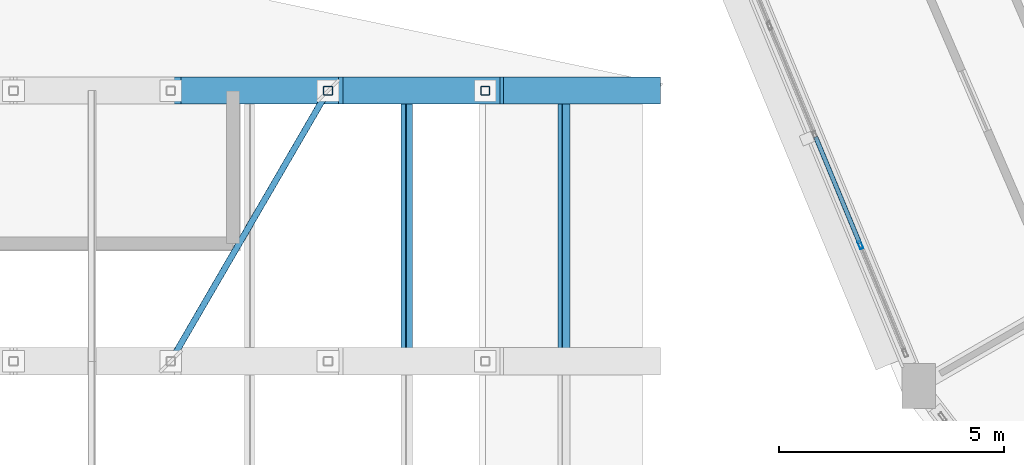
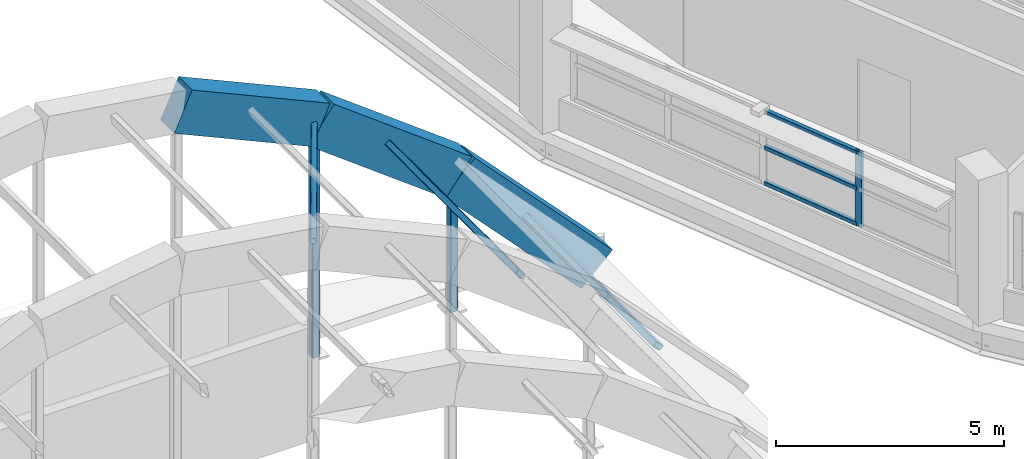
# One storey, part 14 of 88: 9 members, 3 beams, 1 element without a shape of its own.
"""IFC4 building model written with IfcOpenShell, lengths in metres."""

from ifc_helpers import new_model, si_unit, direction, frame, origin, origin_2d, place, context, subcontext, project, spatial, rectangle, hollow_rectangle, hollow_circle, extrude, material, layer, layer_set, material_profile, profile_set, type_object, element, aggregate, save


model = new_model("IFC4")

# Units and contexts
model_context = context("Model", 3, precision=1e-05, world=origin(), true_north=direction((0.0, 1.0)))
body_context = subcontext(model_context, "Body", "Model", "MODEL_VIEW")
ifc_project = project(units=[si_unit("LENGTHUNIT", "METRE"), si_unit("AREAUNIT", "SQUARE_METRE"), si_unit("VOLUMEUNIT", "CUBIC_METRE"), si_unit("PLANEANGLEUNIT", "RADIAN"), si_unit("MASSUNIT", "GRAM", prefix="KILO")], contexts=[model_context])

# Site, building, storey
site_placement = place(None, origin())
site = spatial("IfcSite", under=ifc_project, at=site_placement, CompositionType="ELEMENT")
building_placement = place(site_placement, origin())
building = spatial("IfcBuilding", under=site, at=building_placement, Name="Vespera Passage Community Centre", CompositionType="ELEMENT")
storey_placement = place(building_placement, frame((0.0, 0.0, 16.5)))
storey = spatial("IfcBuildingStorey", under=building, at=storey_placement, Name="L04", CompositionType="ELEMENT", Elevation=16.5)

# Beams
ifc_material_1 = material(Name="Concrete f'c 45 MPa", Category="concrete")
ifc_material_profile_1 = material_profile(ifc_material_1, rectangle(XDim=0.60009765625, YDim=1.10009765625, at=origin_2d()), Name="RC600X1100")
ifc_profile_set_1 = profile_set([ifc_material_profile_1], Name="Concrete f'c 45 MPa")
beam_type = type_object("IfcBeamType", Name="BM-AR-600X1100", PredefinedType="USERDEFINED", material=ifc_profile_set_1)
beam_1_placement = place(storey_placement, frame((21.487548828125, 49.0, 7.324951171875), z_axis=(0.911377547456, 0.0, -0.411571337672), x_axis=(0.0, 1.0, 0.0)))
element("IfcBeam", 1, at=beam_1_placement, inside=storey, type_object=beam_type, Name="Main Hall Barrel Vault Arch Rib AR8 Seg 6", ObjectType="ARCH RIB", PredefinedType="USERDEFINED", context=body_context, shape_type="SweptSolid", body=[
    extrude(rectangle(XDim=0.60009765625, YDim=1.10009765625, at=origin_2d()), origin(), (0.0, 0.0, 1.0), 3.82666015625),
])
beam_2_placement = place(storey_placement, frame((24.97509765625, 49.0, 5.75), z_axis=(0.798951709852, 0.0, -0.601395182325), x_axis=(0.0, 1.0, 0.0)))
element("IfcBeam", 2, at=beam_2_placement, inside=storey, type_object=beam_type, Name="Main Hall Barrel Vault Arch Rib AR8 Seg 7", ObjectType="ARCH RIB", PredefinedType="USERDEFINED", context=body_context, shape_type="SweptSolid", body=[
    extrude(rectangle(XDim=0.60009765625, YDim=1.10009765625, at=origin_2d()), origin(), (0.0, 0.0, 1.0), 4.36474609375),
])
beam_3_placement = place(storey_placement, frame((28.46240234375, 49.0, 3.125), z_axis=(0.688360568967, 0.0, -0.725368683561), x_axis=(0.0, 1.0, 0.0)))
element("IfcBeam", 3, at=beam_3_placement, inside=storey, type_object=beam_type, Name="Main Hall Barrel Vault Arch Rib AR8 Seg 8", ObjectType="ARCH RIB", PredefinedType="USERDEFINED", context=body_context, shape_type="SweptSolid", body=[
    extrude(rectangle(XDim=0.60009765625, YDim=1.10009765625, at=origin_2d()), origin(), (0.0, 0.0, 1.0), 5.06640625),
])

# Curtain wall, members
ifc_material_2 = material(Name="Anodized aluminium 6063-T6", Category="aluminium")
ifc_layer = layer(ifc_material_2, 0.159912109375)
ifc_layer_set = layer_set([ifc_layer], Name="Anodized aluminium 6063-T6")
curtain_wall_type = type_object("IfcCurtainWallType", Name="CW-65E", PredefinedType="NOTDEFINED", material=ifc_layer_set)
curtain_wall_placement = place(storey_placement, origin())
curtain_wall = element("IfcCurtainWall", 4, at=curtain_wall_placement, inside=storey, type_object=curtain_wall_type, Name="V4 L04 Outer Ribbon Curtain Wall 13", PredefinedType="NOTDEFINED")
ifc_material_3 = material(Name="Anodized aluminium 6063-T6", Category="aluminium")
ifc_material_profile_2 = material_profile(ifc_material_3, hollow_rectangle(XDim=0.074951171875, YDim=0.179931640625, WallThickness=0.0048828125, InnerFilletRadius=0.00244140625, OuterFilletRadius=0.0048828125, at=origin_2d()), Name="ALU180X75X5")
ifc_profile_set_2 = profile_set([ifc_material_profile_2], Name="Anodized aluminium 6063-T6")
member_type_1 = type_object("IfcMemberType", Name="MB-CWM-180E", PredefinedType="MULLION", material=ifc_profile_set_2)
member_1_placement = place(storey_placement, frame((36.780029296875, 45.578857421875, 0.820068359375), z_axis=(0.0, 0.0, 1.0), x_axis=(-0.923881309405, -0.382679142535, 0.0)))
member_1 = element("IfcMember", 5, at=member_1_placement, type_object=member_type_1, Name="CW-65E mullion 2", PredefinedType="MULLION", context=body_context, shape_type="SweptSolid", body=[
    extrude(hollow_rectangle(XDim=0.074951171875, YDim=0.179931640625, WallThickness=0.0048828125, InnerFilletRadius=0.00244140625, OuterFilletRadius=0.0048828125, at=origin_2d()), origin(), (0.0, 0.0, 1.0), 2.005615234375),
])
ifc_material_4 = material(Name="Anodized aluminium 6063-T6", Category="aluminium")
ifc_material_profile_3 = material_profile(ifc_material_4, hollow_rectangle(XDim=0.10009765625, YDim=0.10009765625, WallThickness=0.00390625, InnerFilletRadius=0.001953125, OuterFilletRadius=0.00390625, at=origin_2d()), Name="ALU100X100X4")
ifc_profile_set_3 = profile_set([ifc_material_profile_3], Name="Anodized aluminium 6063-T6")
member_type_2 = type_object("IfcMemberType", Name="MB-CWT-100E", PredefinedType="USERDEFINED", material=ifc_profile_set_3)
member_2_placement = place(storey_placement, frame((36.765869140625, 45.613525390625, 0.8701171875), z_axis=(-0.382694900027, 0.923874782367, 0.0), x_axis=(-0.923874782367, -0.382694900027, 0.0)))
member_2 = element("IfcMember", 6, at=member_2_placement, type_object=member_type_2, Name="CW-65E transom 2.1", ObjectType="TRANSOM", PredefinedType="USERDEFINED", context=body_context, shape_type="SweptSolid", body=[
    extrude(hollow_rectangle(XDim=0.10009765625, YDim=0.10009765625, WallThickness=0.00390625, InnerFilletRadius=0.001953125, OuterFilletRadius=0.00390625, at=origin_2d()), origin(), (0.0, 0.0, 1.0), 2.5556640625),
])
member_3_placement = place(storey_placement, frame((36.765869140625, 45.613525390625, 1.82275390625), z_axis=(-0.382694900027, 0.923874782367, 0.0), x_axis=(-0.923874782367, -0.382694900027, 0.0)))
member_3 = element("IfcMember", 7, at=member_3_placement, type_object=member_type_2, Name="CW-65E transom 2.2", ObjectType="TRANSOM", PredefinedType="USERDEFINED", context=body_context, shape_type="SweptSolid", body=[
    extrude(hollow_rectangle(XDim=0.10009765625, YDim=0.10009765625, WallThickness=0.00390625, InnerFilletRadius=0.001953125, OuterFilletRadius=0.00390625, at=origin_2d()), origin(), (0.0, 0.0, 1.0), 2.5556640625),
])
member_4_placement = place(storey_placement, frame((36.765869140625, 45.613525390625, 2.775634765625), z_axis=(-0.382694900027, 0.923874782367, 0.0), x_axis=(-0.923874782367, -0.382694900027, 0.0)))
member_4 = element("IfcMember", 8, at=member_4_placement, type_object=member_type_2, Name="CW-65E transom 2.3", ObjectType="TRANSOM", PredefinedType="USERDEFINED", context=body_context, shape_type="SweptSolid", body=[
    extrude(hollow_rectangle(XDim=0.10009765625, YDim=0.10009765625, WallThickness=0.00390625, InnerFilletRadius=0.001953125, OuterFilletRadius=0.00390625, at=origin_2d()), origin(), (0.0, 0.0, 1.0), 2.5556640625),
])
aggregate(curtain_wall, [member_1, member_2, member_3, member_4])

# Members
ifc_material_5 = material(Name="Steel ASTM A500 Grade C", Category="steel")
ifc_material_profile_4 = material_profile(ifc_material_5, hollow_rectangle(XDim=0.15234375, YDim=0.25390625, WallThickness=0.01171875, InnerFilletRadius=0.01171875, OuterFilletRadius=0.023681640625, at=origin_2d()), Name="HSS254X152X12.7")
ifc_profile_set_4 = profile_set([ifc_material_profile_4], Name="Steel ASTM A500 Grade C")
member_type_3 = type_object("IfcMemberType", Name="MB-PR-HSS254X152", PredefinedType="PURLIN", material=ifc_profile_set_4)
for number, where, z_axis, x_axis, name in (
    (9, (26.71875, 43.0, 4.610595703125), (0.0, 1.0, 0.0), (-0.798971502388, 0.0, -0.6013688871), "Main Hall Vault Purlin B7.7"),
    (10, (30.206298828125, 43.0, 1.46044921875), (0.0, 1.0, 0.0), (-0.688354575694, 0.0, -0.725374371012), "Main Hall Vault Purlin B7.8"),
):
    element("IfcMember", number, at=place(storey_placement, frame(where, z_axis=z_axis, x_axis=x_axis)), inside=storey, type_object=member_type_3, Name=name, PredefinedType="PURLIN", context=body_context, shape_type="SweptSolid", body=[
        extrude(hollow_rectangle(XDim=0.15234375, YDim=0.25390625, WallThickness=0.01171875, InnerFilletRadius=0.01171875, OuterFilletRadius=0.023681640625, at=origin_2d()), origin(), (0.0, 0.0, 1.0), 6.0),
    ])
ifc_material_6 = material(Name="Steel ASTM A500 Grade C", Category="steel")
ifc_material_profile_5 = material_profile(ifc_material_6, hollow_rectangle(XDim=0.203125, YDim=0.203125, WallThickness=0.01171875, InnerFilletRadius=0.01171875, OuterFilletRadius=0.023681640625, at=origin_2d()), Name="HSS203X203X12.7")
ifc_profile_set_5 = profile_set([ifc_material_profile_5], Name="Steel ASTM A500 Grade C")
member_type_4 = type_object("IfcMemberType", Name="SS-203", PredefinedType="STRUT", material=ifc_profile_set_5)
member_5_placement = place(storey_placement, frame((24.97509765625, 49.0, -0.58544921875), z_axis=(0.0, 0.0, 1.0), x_axis=(1.0, 0.0, 0.0)))
element("IfcMember", 11, at=member_5_placement, inside=storey, type_object=member_type_4, Name="Main Hall Arch Rib AR8 Bowstring Post 6", PredefinedType="STRUT", context=body_context, shape_type="SweptSolid", body=[
    extrude(hollow_rectangle(XDim=0.203125, YDim=0.203125, WallThickness=0.01171875, InnerFilletRadius=0.01171875, OuterFilletRadius=0.023681640625, at=origin_2d()), origin(), (0.0, 0.0, 1.0), 6.33544921875),
])
member_6_placement = place(storey_placement, frame((28.46240234375, 49.0, -0.58544921875), z_axis=(0.0, 0.0, 1.0), x_axis=(1.0, 0.0, 0.0)))
element("IfcMember", 12, at=member_6_placement, inside=storey, type_object=member_type_4, Name="Main Hall Arch Rib AR8 Bowstring Post 7", PredefinedType="STRUT", context=body_context, shape_type="SweptSolid", body=[
    extrude(hollow_rectangle(XDim=0.203125, YDim=0.203125, WallThickness=0.01171875, InnerFilletRadius=0.01171875, OuterFilletRadius=0.023681640625, at=origin_2d()), origin(), (0.0, 0.0, 1.0), 3.71044921875),
])
ifc_material_7 = material(Name="Steel ASTM A500 Grade C", Category="steel")
ifc_material_profile_6 = material_profile(ifc_material_7, hollow_circle(Radius=0.070556640625, WallThickness=0.0087890625, at=origin_2d()), Name="CHS141X9.5")
ifc_profile_set_6 = profile_set([ifc_material_profile_6], Name="Steel ASTM A500 Grade C")
member_type_5 = type_object("IfcMemberType", Name="VB-141", PredefinedType="BRACE", material=ifc_profile_set_6)
member_7_placement = place(storey_placement, frame((21.487548828125, 43.0, 7.324951171875), z_axis=(0.490070519088, 0.843120271411, -0.221312209915), x_axis=(-0.86455872774, 0.502531796296, 0.0)))
element("IfcMember", 13, at=member_7_placement, inside=storey, type_object=member_type_5, Name="Vault Wind Brace B7.6", PredefinedType="BRACE", context=body_context, shape_type="SweptSolid", body=[
    extrude(hollow_circle(Radius=0.070556640625, WallThickness=0.0087890625, at=origin_2d()), origin(), (0.0, 0.0, 1.0), 7.116455078125),
])

save(model, "model.ifc")
